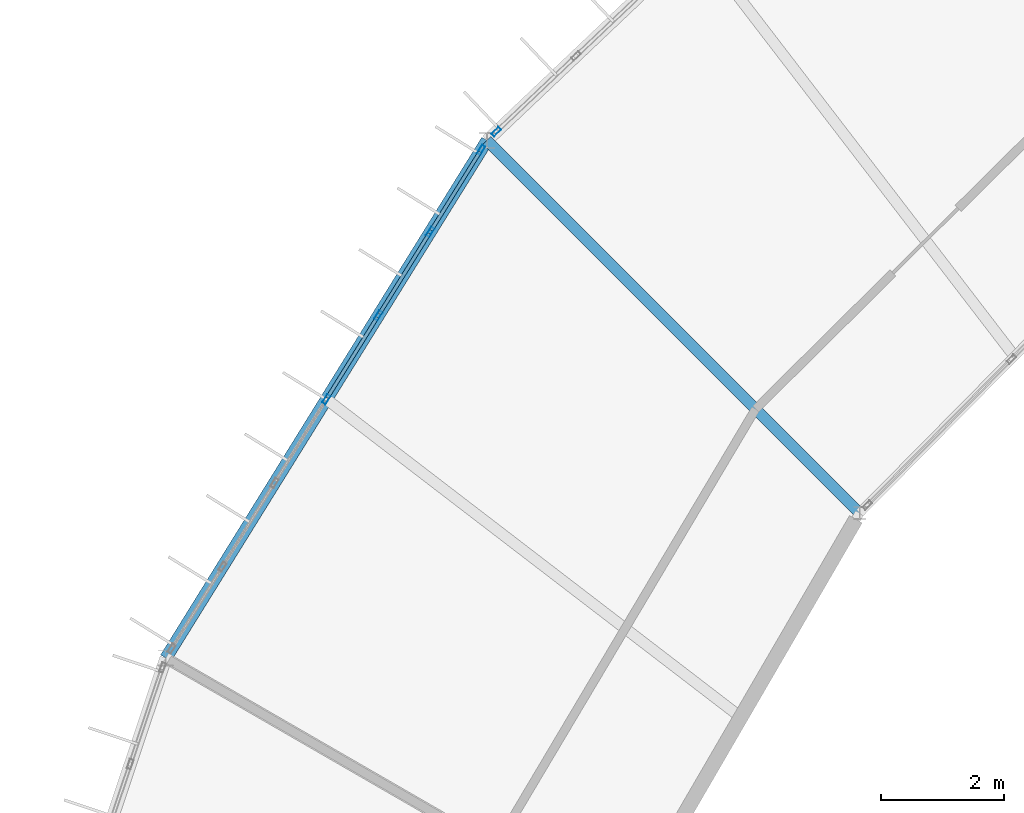
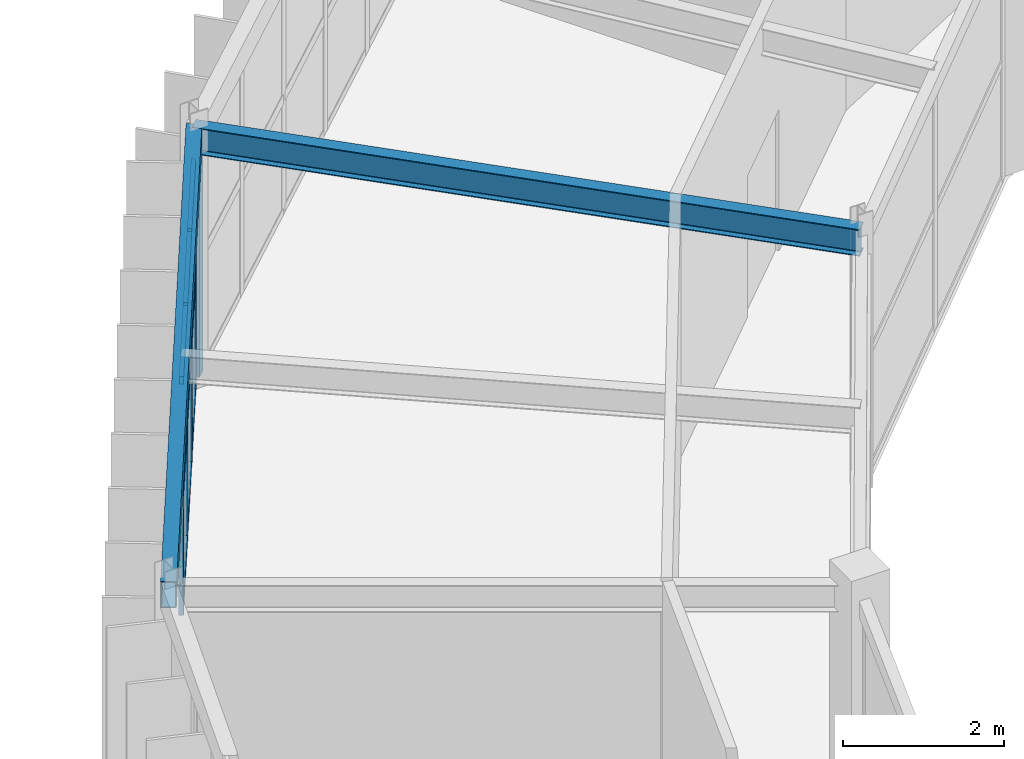
# One storey, part 57 of 106: 14 members, 2 beams, 2 elements without a shape of their own.
"""IFC4 building model written with IfcOpenShell, lengths in metres."""

import ifcopenshell
import ifcopenshell.guid

model = None  # the IFC model being written
_history = None  # IfcOwnerHistory: only IFC2X3 demands one
_inside = {}  # id of a spatial element -> (the spatial element, [elements in it])
_under = {}  # id of a project, library or spatial element -> (it, [spatial elements below it])
_declared = {}  # id of a project -> (the project, [libraries it declares])
_typed = {}  # id of a type object -> (the type object, [elements of that type])
_made_of = {}  # id of a material, layer set ... -> (it, [elements and type objects made of it])


def new_model(schema):
    """Start an empty IFC model of exactly this schema.

    Asked for "IFC4X3", IfcOpenShell would pick the latest addendum, in which some entities
    have other attributes; the version numbers below select the first issue.
    IFC2X3 requires an IfcOwnerHistory on every rooted entity: one is made here for all.
    """
    global model, _history
    if schema == "IFC4X3":
        model = ifcopenshell.file(schema_version=(4, 3, 0, 0))
    else:
        model = ifcopenshell.file(schema=schema)
    _inside.clear()
    _under.clear()
    _declared.clear()
    _typed.clear()
    _made_of.clear()
    _history = None
    if model.schema == "IFC2X3":
        org = make("IfcOrganization", Name="unknown")
        user = make(
            "IfcPersonAndOrganization",
            ThePerson=make("IfcPerson", FamilyName="unknown"),
            TheOrganization=org,
        )
        app = make(
            "IfcApplication",
            ApplicationDeveloper=org,
            Version="unknown",
            ApplicationFullName="unknown",
            ApplicationIdentifier="unknown",
        )
        _history = make(
            "IfcOwnerHistory",
            OwningUser=user,
            OwningApplication=app,
            ChangeAction="ADDED",
            CreationDate=0,
        )
    return model


def make(cls, **values):
    """One entity of the class cls with the attributes given. An attribute that is None is left unset."""
    return model.create_entity(
        cls, **{name: value for name, value in values.items() if value is not None}
    )


def rooted(cls, **values):
    """An entity with a GlobalId (a new one), such as an element, a storey or a relation."""
    return make(cls, GlobalId=ifcopenshell.guid.new(), OwnerHistory=_history, **values)


def si_unit(unit_type, name, prefix=None):
    """IfcSIUnit, for example si_unit("LENGTHUNIT", "METRE", prefix="MILLI")."""
    return make("IfcSIUnit", UnitType=unit_type, Prefix=prefix, Name=name)


def assignment(units):
    """IfcUnitAssignment: the units of a project."""
    return None if units is None else make("IfcUnitAssignment", Units=units)


def point(xyz):
    """IfcCartesianPoint."""
    return None if xyz is None else make("IfcCartesianPoint", Coordinates=xyz)


def direction(xyz):
    """IfcDirection."""
    return None if xyz is None else make("IfcDirection", DirectionRatios=xyz)


def frame(location, z_axis=None, x_axis=None):
    """IfcAxis2Placement3D, a coordinate frame: its origin and axes. An axis left out is left unset."""
    return make(
        "IfcAxis2Placement3D",
        Location=point(location),
        Axis=direction(z_axis),
        RefDirection=direction(x_axis),
    )


def frame_2d(location, x_axis=None):
    """IfcAxis2Placement2D, a coordinate frame in the plane: its origin and x axis."""
    return make(
        "IfcAxis2Placement2D", Location=point(location), RefDirection=direction(x_axis)
    )


def origin():
    """The frame at (0, 0, 0) with its axes left unset."""
    return frame((0.0, 0.0, 0.0))


def origin_2d():
    """The frame at (0, 0) in the plane with its x axis left unset."""
    return frame_2d((0.0, 0.0))


def place(relative_to, where):
    """IfcLocalPlacement: puts the frame where relative to a parent placement (None: the world)."""
    return make(
        "IfcLocalPlacement", PlacementRelTo=relative_to, RelativePlacement=where
    )


def context(
    kind, dimensions, precision=None, world=None, true_north=None, identifier=None
):
    """IfcGeometricRepresentationContext, for example the 3D "Model" context."""
    return make(
        "IfcGeometricRepresentationContext",
        ContextIdentifier=identifier,
        ContextType=kind,
        CoordinateSpaceDimension=dimensions,
        Precision=precision,
        WorldCoordinateSystem=world,
        TrueNorth=true_north,
    )


def subcontext(parent, identifier, kind, view, scale=None):
    """IfcGeometricRepresentationSubContext, for example "Body" below "Model"."""
    return make(
        "IfcGeometricRepresentationSubContext",
        ContextIdentifier=identifier,
        ContextType=kind,
        ParentContext=parent,
        TargetScale=scale,
        TargetView=view,
    )


def project(units=None, contexts=None):
    """IfcProject with its units and contexts."""
    return rooted(
        "IfcProject",
        Name="project",
        RepresentationContexts=contexts,
        UnitsInContext=assignment(units),
    )


def spatial(cls, under=None, at=None, **own):
    """A site, building, storey or space (cls), placed at a placement, below another one or the project."""
    s = rooted(cls, ObjectPlacement=at, **own)
    if under is not None:
        _under.setdefault(under.id(), (under, []))[1].append(s)
    return s


def profile(cls, at=None, kind="AREA", **sizes):
    """A parametric profile (cls). Its sizes go by their IFC names, for example OverallWidth=200.0."""
    return make(cls, ProfileType=kind, Position=at, **sizes)


def hollow_rectangle(**sizes):
    """IfcRectangleHollowProfileDef."""
    return profile("IfcRectangleHollowProfileDef", **sizes)


def i_section(**sizes):
    """IfcIShapeProfileDef."""
    return profile("IfcIShapeProfileDef", **sizes)


def extrude(swept, where, along, depth):
    """IfcExtrudedAreaSolid: the profile swept, set in the frame where, extruded along a direction by depth."""
    return make(
        "IfcExtrudedAreaSolid",
        SweptArea=swept,
        Position=where,
        ExtrudedDirection=direction(along),
        Depth=depth,
    )


def shape(context_of_items, identifier, shape_type, items):
    """IfcShapeRepresentation: the items that make up one representation, for example the "Body"."""
    return make(
        "IfcShapeRepresentation",
        ContextOfItems=context_of_items,
        RepresentationIdentifier=identifier,
        RepresentationType=shape_type,
        Items=items,
    )


def material(Name=None, Category=None):
    """IfcMaterial."""
    return make("IfcMaterial", Name=Name, Category=Category)


def material_profile(
    of_material, cross_section, Name=None, Category=None, Priority=None
):
    """IfcMaterialProfile: a cross section and its material."""
    return make(
        "IfcMaterialProfile",
        Name=Name,
        Material=of_material,
        Profile=cross_section,
        Priority=Priority,
        Category=Category,
    )


def profile_set(profiles, Name=None, composite=None):
    """IfcMaterialProfileSet."""
    return make(
        "IfcMaterialProfileSet",
        Name=Name,
        MaterialProfiles=profiles,
        CompositeProfile=composite,
    )


def made_of(thing, what):
    """Note that an element or type object is made of a material, layer set ...; save() writes the relation."""
    if what is not None:
        _made_of.setdefault(what.id(), (what, []))[1].append(thing)
    return thing


def type_object(cls, material=None, **own):
    """A type object (cls), such as IfcWallType, which elements share."""
    return made_of(rooted(cls, **own), material)


def element(
    cls,
    number,
    at=None,
    inside=None,
    cuts=None,
    type_object=None,
    material=None,
    context=None,
    identifier="Body",
    shape_type=None,
    held_by="IfcProductDefinitionShape",
    body=None,
    shapes=None,
    **own,
):
    """One element of the class cls, such as IfcWall. Its Tag is "e" and its number.

    at: its placement. inside: the storey or other place that contains it. cuts: it is an
    opening in that element (IfcRelVoidsElement). A single representation is given by context,
    identifier, shape_type and body (its items); several are given by shapes. held_by: the class
    of the entity that holds the representations. save() writes the other relations.
    """
    e = rooted(cls, Tag="e%d" % number, ObjectPlacement=at, **own)
    if body is not None:
        shapes = [shape(context, identifier, shape_type, body)]
    if shapes is not None:
        e.Representation = make(held_by, Representations=shapes)
    if inside is not None:
        _inside.setdefault(inside.id(), (inside, []))[1].append(e)
    if cuts is not None:
        rooted(
            "IfcRelVoidsElement", RelatingBuildingElement=cuts, RelatedOpeningElement=e
        )
    if type_object is not None:
        _typed.setdefault(type_object.id(), (type_object, []))[1].append(e)
    return made_of(e, material)


def aggregate(whole, parts):
    """IfcRelAggregates: a whole, such as a stair, and the parts it consists of."""
    return rooted("IfcRelAggregates", RelatingObject=whole, RelatedObjects=parts)


def save(model, path):
    """Write the relations noted so far, then the file.

    IfcRelAggregates (storeys below a building ...), IfcRelContainedInSpatialStructure (elements
    in a storey), IfcRelDefinesByType, IfcRelAssociatesMaterial and IfcRelDeclares: one each for
    every whole, place, type object, material and project.
    """
    for whole, parts in _under.values():
        aggregate(whole, parts)
    for where, things in _inside.values():
        rooted(
            "IfcRelContainedInSpatialStructure",
            RelatedElements=things,
            RelatingStructure=where,
        )
    for kind, things in _typed.values():
        rooted("IfcRelDefinesByType", RelatedObjects=things, RelatingType=kind)
    for what, things in _made_of.values():
        rooted("IfcRelAssociatesMaterial", RelatedObjects=things, RelatingMaterial=what)
    for by, libraries in _declared.values():
        rooted("IfcRelDeclares", RelatingContext=by, RelatedDefinitions=libraries)
    model.write(path)


model = new_model("IFC4")

# Units and contexts
model_context = context("Model", 3, precision=1e-05, world=origin(), true_north=direction((0.0, 1.0)))
body_context = subcontext(model_context, "Body", "Model", "MODEL_VIEW")
ifc_project = project(units=[si_unit("LENGTHUNIT", "METRE"), si_unit("AREAUNIT", "SQUARE_METRE"), si_unit("VOLUMEUNIT", "CUBIC_METRE"), si_unit("PLANEANGLEUNIT", "RADIAN"), si_unit("MASSUNIT", "GRAM", prefix="KILO")], contexts=[model_context])

# Site, building, storey
site_placement = place(None, origin())
site = spatial("IfcSite", under=ifc_project, at=site_placement, CompositionType="ELEMENT")
building_placement = place(site_placement, origin())
building = spatial("IfcBuilding", under=site, at=building_placement, Name="Karori Crest Natural Sciences Institute", CompositionType="ELEMENT")
storey_placement = place(building_placement, frame((0.0, 0.0, 25.89990234375)))
storey = spatial("IfcBuildingStorey", under=building, at=storey_placement, Name="L06", CompositionType="ELEMENT", Elevation=25.89990234375)

# Beams
ifc_material_1 = material(Name="Structural steel AS/NZS 3679.1 Grade 350", Category="steel")
ifc_material_profile_1 = material_profile(ifc_material_1, i_section(OverallWidth=0.177978515625, OverallDepth=0.406005859375, WebThickness=0.0078125, FlangeThickness=0.0126953125, FilletRadius=0.010986328125, at=origin_2d()), Name="410UB59.7")
ifc_profile_set_1 = profile_set([ifc_material_profile_1], Name="Structural steel AS/NZS 3679.1 Grade 350")
beam_type_1 = type_object("IfcBeamType", Name="BT-07", PredefinedType="BEAM", material=ifc_profile_set_1)
beam_1_placement = place(storey_placement, frame((49.146484375, 72.668701171875, 3.739990234375), z_axis=(-0.707092586958, 0.70712097513, 0.0), x_axis=(-0.70712097513, -0.707092586958, 0.0)))
element("IfcBeam", 1, at=beam_1_placement, inside=storey, type_object=beam_type_1, Name="Beam B-0673", PredefinedType="BEAM", context=body_context, shape_type="SweptSolid", body=[
    extrude(i_section(OverallWidth=0.177978515625, OverallDepth=0.406005859375, WebThickness=0.0078125, FlangeThickness=0.0126953125, FilletRadius=0.010986328125, at=origin_2d()), origin(), (0.0, 0.0, 1.0), 8.60009765625),
])
ifc_material_2 = material(Name="Hollow structural steel AS/NZS 1163 Grade C350", Category="steel")
ifc_material_profile_2 = material_profile(ifc_material_2, hollow_rectangle(XDim=0.199951171875, YDim=0.39990234375, WallThickness=0.012451171875, at=origin_2d()), Name="RHS400x200x12.5")
ifc_profile_set_2 = profile_set([ifc_material_profile_2], Name="Hollow structural steel AS/NZS 1163 Grade C350")
beam_type_2 = type_object("IfcBeamType", Name="BT-14", PredefinedType="SPANDREL", material=ifc_profile_set_2)
beam_2_placement = place(storey_placement, frame((43.0654296875, 78.75, 3.739990234375), z_axis=(-0.527315195609, -0.849669750244, 0.0), x_axis=(0.849669750244, -0.527315195609, 0.0)))
element("IfcBeam", 2, at=beam_2_placement, inside=storey, type_object=beam_type_2, Name="Beam B-0671", PredefinedType="SPANDREL", context=body_context, shape_type="SweptSolid", body=[
    extrude(hollow_rectangle(XDim=0.199951171875, YDim=0.39990234375, WallThickness=0.012451171875, at=origin_2d()), origin(), (0.0, 0.0, 1.0), 9.945068359375),
])

# Curtain wall, member
ifc_material_3 = material(Name="Anodised architectural aluminium 6063-T6", Category="aluminium")
curtain_wall_type_1 = type_object("IfcCurtainWallType", Name="CWT-09", PredefinedType="NOTDEFINED", material=ifc_material_3)
curtain_wall_1_placement = place(storey_placement, origin())
curtain_wall_1 = element("IfcCurtainWall", 3, at=curtain_wall_1_placement, inside=storey, type_object=curtain_wall_type_1, Name="Curtain wall CW-0232", PredefinedType="NOTDEFINED")
ifc_material_profile_3 = material_profile(ifc_material_3, hollow_rectangle(XDim=0.06494140625, YDim=0.159912109375, WallThickness=0.00390625, at=origin_2d()), Name="CWM160x65x4")
ifc_profile_set_3 = profile_set([ifc_material_profile_3], Name="Anodised architectural aluminium 6063-T6")
member_type_1 = type_object("IfcMemberType", Name="CWM-01", PredefinedType="MULLION", material=ifc_profile_set_3)
member_1_placement = place(storey_placement, frame((43.215576171875, 78.892333984375, 0.0), z_axis=(0.0, 0.0, 1.0), x_axis=(-0.688250542104, 0.725473081026, 0.0)))
member_1 = element("IfcMember", 4, at=member_1_placement, type_object=member_type_1, Name="CW-0232 mullion 1", PredefinedType="MULLION", context=body_context, shape_type="SweptSolid", body=[
    extrude(hollow_rectangle(XDim=0.06494140625, YDim=0.159912109375, WallThickness=0.00390625, at=origin_2d()), origin(), (0.0, 0.0, 1.0), 3.525146484375),
])
aggregate(curtain_wall_1, [member_1])

# Curtain wall, members
curtain_wall_type_2 = type_object("IfcCurtainWallType", Name="CWT-10", PredefinedType="NOTDEFINED", material=ifc_material_3)
curtain_wall_2_placement = place(storey_placement, origin())
curtain_wall_2 = element("IfcCurtainWall", 5, at=curtain_wall_2_placement, inside=storey, type_object=curtain_wall_type_2, Name="Curtain wall CW-0234", PredefinedType="NOTDEFINED")
member_2_placement = place(storey_placement, frame((40.4423828125, 74.5234375, 0.0), z_axis=(0.0, 0.0, 1.0), x_axis=(-0.849664350398, 0.527323896352, 0.0)))
member_2 = element("IfcMember", 6, at=member_2_placement, type_object=member_type_1, Name="CW-0234 mullion 4", PredefinedType="MULLION", context=body_context, shape_type="SweptSolid", body=[
    extrude(hollow_rectangle(XDim=0.06494140625, YDim=0.159912109375, WallThickness=0.00390625, at=origin_2d()), origin(), (0.0, 0.0, 1.0), 3.525146484375),
])
member_3_placement = place(storey_placement, frame((41.290283203125, 75.8896484375, 0.0), z_axis=(0.0, 0.0, 1.0), x_axis=(-0.849664350398, 0.527323896352, 0.0)))
member_3 = element("IfcMember", 7, at=member_3_placement, type_object=member_type_1, Name="CW-0234 mullion 5", PredefinedType="MULLION", context=body_context, shape_type="SweptSolid", body=[
    extrude(hollow_rectangle(XDim=0.06494140625, YDim=0.159912109375, WallThickness=0.00390625, at=origin_2d()), origin(), (0.0, 0.0, 1.0), 3.525146484375),
])
member_4_placement = place(storey_placement, frame((42.13818359375, 77.255615234375, 0.0), z_axis=(0.0, 0.0, 1.0), x_axis=(-0.849664350398, 0.527323896352, 0.0)))
member_4 = element("IfcMember", 8, at=member_4_placement, type_object=member_type_1, Name="CW-0234 mullion 6", PredefinedType="MULLION", context=body_context, shape_type="SweptSolid", body=[
    extrude(hollow_rectangle(XDim=0.06494140625, YDim=0.159912109375, WallThickness=0.00390625, at=origin_2d()), origin(), (0.0, 0.0, 1.0), 3.525146484375),
])
member_5_placement = place(storey_placement, frame((42.96875, 78.593994140625, 0.0), z_axis=(0.0, 0.0, 1.0), x_axis=(-0.849664350398, 0.527323896352, 0.0)))
member_5 = element("IfcMember", 9, at=member_5_placement, type_object=member_type_1, Name="CW-0234 mullion 7", PredefinedType="MULLION", context=body_context, shape_type="SweptSolid", body=[
    extrude(hollow_rectangle(XDim=0.06494140625, YDim=0.159912109375, WallThickness=0.00390625, at=origin_2d()), origin(), (0.0, 0.0, 1.0), 3.525146484375),
])
ifc_material_profile_4 = material_profile(ifc_material_3, hollow_rectangle(XDim=0.06005859375, YDim=0.1201171875, WallThickness=0.00390625, at=origin_2d()), Name="CWT120x60x4")
ifc_profile_set_4 = profile_set([ifc_material_profile_4], Name="Anodised architectural aluminium 6063-T6")
member_type_2 = type_object("IfcMemberType", Name="CWT-TR1", PredefinedType="USERDEFINED", material=ifc_profile_set_4)
member_6_placement = place(storey_placement, frame((40.45947265625, 74.551025390625, 0.030029296875), z_axis=(0.527351046072, 0.849647499971, 0.0), x_axis=(-0.849647499971, 0.527351046072, 0.0)))
member_6 = element("IfcMember", 10, at=member_6_placement, type_object=member_type_2, Name="CW-0234 transom 4.1", ObjectType="TRANSOM", PredefinedType="USERDEFINED", context=body_context, shape_type="SweptSolid", body=[
    extrude(hollow_rectangle(XDim=0.06005859375, YDim=0.1201171875, WallThickness=0.00390625, at=origin_2d()), origin(), (0.0, 0.0, 1.0), 1.54296875),
])
member_7_placement = place(storey_placement, frame((40.45947265625, 74.551025390625, 1.7626953125), z_axis=(0.527351046072, 0.849647499971, 0.0), x_axis=(-0.849647499971, 0.527351046072, 0.0)))
member_7 = element("IfcMember", 11, at=member_7_placement, type_object=member_type_2, Name="CW-0234 transom 4.2", ObjectType="TRANSOM", PredefinedType="USERDEFINED", context=body_context, shape_type="SweptSolid", body=[
    extrude(hollow_rectangle(XDim=0.06005859375, YDim=0.1201171875, WallThickness=0.00390625, at=origin_2d()), origin(), (0.0, 0.0, 1.0), 1.54296875),
])
member_8_placement = place(storey_placement, frame((40.45947265625, 74.551025390625, 3.4951171875), z_axis=(0.527351046072, 0.849647499971, 0.0), x_axis=(-0.849647499971, 0.527351046072, 0.0)))
member_8 = element("IfcMember", 12, at=member_8_placement, type_object=member_type_2, Name="CW-0234 transom 4.3", ObjectType="TRANSOM", PredefinedType="USERDEFINED", context=body_context, shape_type="SweptSolid", body=[
    extrude(hollow_rectangle(XDim=0.06005859375, YDim=0.1201171875, WallThickness=0.00390625, at=origin_2d()), origin(), (0.0, 0.0, 1.0), 1.54296875),
])
member_9_placement = place(storey_placement, frame((41.307373046875, 75.917236328125, 0.030029296875), z_axis=(0.527307708925, 0.849674396524, 0.0), x_axis=(-0.849674396524, 0.527307708925, 0.0)))
member_9 = element("IfcMember", 13, at=member_9_placement, type_object=member_type_2, Name="CW-0234 transom 5.1", ObjectType="TRANSOM", PredefinedType="USERDEFINED", context=body_context, shape_type="SweptSolid", body=[
    extrude(hollow_rectangle(XDim=0.06005859375, YDim=0.1201171875, WallThickness=0.00390625, at=origin_2d()), origin(), (0.0, 0.0, 1.0), 1.542724609375),
])
member_10_placement = place(storey_placement, frame((41.307373046875, 75.917236328125, 1.7626953125), z_axis=(0.527307708925, 0.849674396524, 0.0), x_axis=(-0.849674396524, 0.527307708925, 0.0)))
member_10 = element("IfcMember", 14, at=member_10_placement, type_object=member_type_2, Name="CW-0234 transom 5.2", ObjectType="TRANSOM", PredefinedType="USERDEFINED", context=body_context, shape_type="SweptSolid", body=[
    extrude(hollow_rectangle(XDim=0.06005859375, YDim=0.1201171875, WallThickness=0.00390625, at=origin_2d()), origin(), (0.0, 0.0, 1.0), 1.542724609375),
])
member_11_placement = place(storey_placement, frame((41.307373046875, 75.917236328125, 3.4951171875), z_axis=(0.527307708925, 0.849674396524, 0.0), x_axis=(-0.849674396524, 0.527307708925, 0.0)))
member_11 = element("IfcMember", 15, at=member_11_placement, type_object=member_type_2, Name="CW-0234 transom 5.3", ObjectType="TRANSOM", PredefinedType="USERDEFINED", context=body_context, shape_type="SweptSolid", body=[
    extrude(hollow_rectangle(XDim=0.06005859375, YDim=0.1201171875, WallThickness=0.00390625, at=origin_2d()), origin(), (0.0, 0.0, 1.0), 1.542724609375),
])
member_12_placement = place(storey_placement, frame((42.1552734375, 77.283203125, 0.030029296875), z_axis=(0.52732262058, 0.849665142173, 0.0), x_axis=(-0.849665142173, 0.52732262058, 0.0)))
member_12 = element("IfcMember", 16, at=member_12_placement, type_object=member_type_2, Name="CW-0234 transom 6.1", ObjectType="TRANSOM", PredefinedType="USERDEFINED", context=body_context, shape_type="SweptSolid", body=[
    extrude(hollow_rectangle(XDim=0.06005859375, YDim=0.1201171875, WallThickness=0.00390625, at=origin_2d()), origin(), (0.0, 0.0, 1.0), 1.51025390625),
])
member_13_placement = place(storey_placement, frame((42.1552734375, 77.283203125, 1.7626953125), z_axis=(0.52732262058, 0.849665142173, 0.0), x_axis=(-0.849665142173, 0.52732262058, 0.0)))
member_13 = element("IfcMember", 17, at=member_13_placement, type_object=member_type_2, Name="CW-0234 transom 6.2", ObjectType="TRANSOM", PredefinedType="USERDEFINED", context=body_context, shape_type="SweptSolid", body=[
    extrude(hollow_rectangle(XDim=0.06005859375, YDim=0.1201171875, WallThickness=0.00390625, at=origin_2d()), origin(), (0.0, 0.0, 1.0), 1.51025390625),
])
member_14_placement = place(storey_placement, frame((42.1552734375, 77.283203125, 3.4951171875), z_axis=(0.52732262058, 0.849665142173, 0.0), x_axis=(-0.849665142173, 0.52732262058, 0.0)))
member_14 = element("IfcMember", 18, at=member_14_placement, type_object=member_type_2, Name="CW-0234 transom 6.3", ObjectType="TRANSOM", PredefinedType="USERDEFINED", context=body_context, shape_type="SweptSolid", body=[
    extrude(hollow_rectangle(XDim=0.06005859375, YDim=0.1201171875, WallThickness=0.00390625, at=origin_2d()), origin(), (0.0, 0.0, 1.0), 1.51025390625),
])
aggregate(curtain_wall_2, [member_2, member_3, member_4, member_5, member_6, member_7, member_8, member_9, member_10, member_11, member_12, member_13, member_14])

save(model, "model.ifc")
